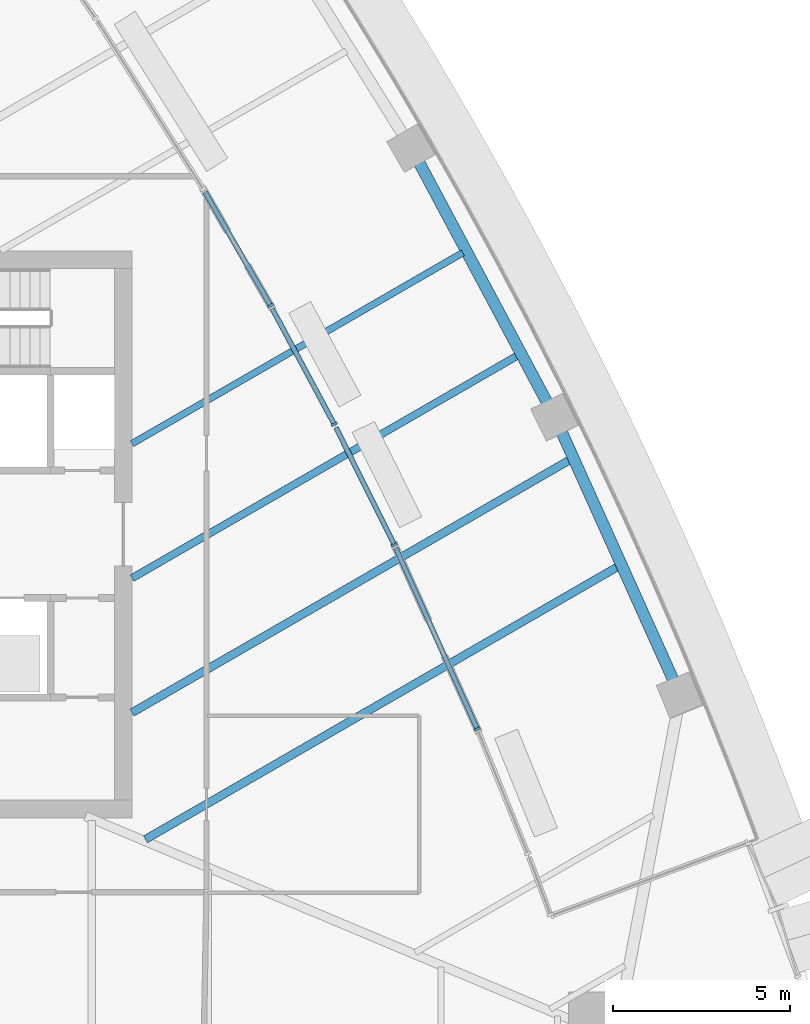
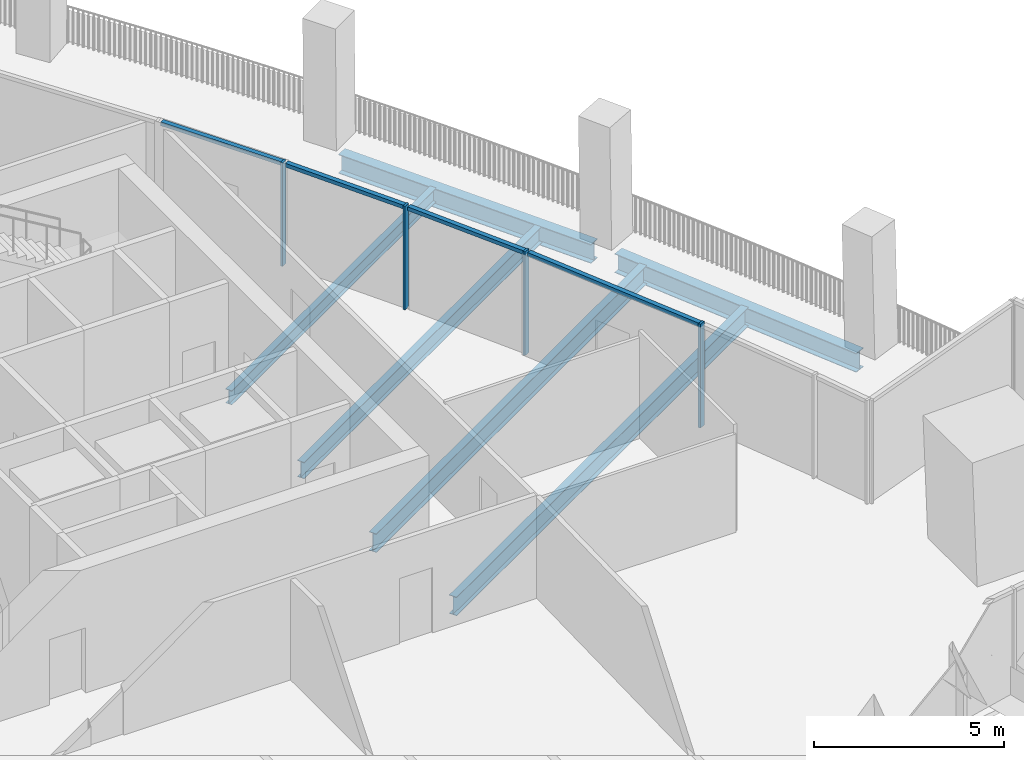
# One storey, part 5 of 22: 8 members, 6 beams, 4 elements without a shape of their own.
"""IFC4 building model written with IfcOpenShell, lengths in metres."""

from ifc_helpers import new_model, si_unit, direction, frame, origin, origin_2d, place, context, subcontext, project, spatial, rectangle, i_section, extrude, material, layer, layer_set, material_profile, profile_set, type_object, element, aggregate, save


model = new_model("IFC4")

# Units and contexts
model_context = context("Model", 3, precision=1e-05, world=origin(), true_north=direction((0.0, 1.0)))
body_context = subcontext(model_context, "Body", "Model", "MODEL_VIEW")
ifc_project = project(units=[si_unit("LENGTHUNIT", "METRE"), si_unit("AREAUNIT", "SQUARE_METRE"), si_unit("VOLUMEUNIT", "CUBIC_METRE"), si_unit("PLANEANGLEUNIT", "RADIAN"), si_unit("MASSUNIT", "GRAM", prefix="KILO")], contexts=[model_context])

# Site, building, storey
site_placement = place(None, origin())
site = spatial("IfcSite", under=ifc_project, at=site_placement, CompositionType="ELEMENT")
building_placement = place(site_placement, origin())
building = spatial("IfcBuilding", under=site, at=building_placement, Name="Sierra Prisma Convention Tower", CompositionType="ELEMENT")
storey_placement = place(building_placement, frame((0.0, 0.0, 141.800048828125)))
storey = spatial("IfcBuildingStorey", under=building, at=storey_placement, Name="L30", CompositionType="ELEMENT", Elevation=141.800048828125)

# Curtain wall, member
ifc_material_1 = material(Name="Aluminium and glass curtain wall", Category="aluminium")
ifc_layer = layer(ifc_material_1, 0.179931640625)
ifc_layer_set = layer_set([ifc_layer], Name="CW-6 Terrace recess curtain wall")
curtain_wall_type = type_object("IfcCurtainWallType", Name="CW-6 Terrace recess curtain wall", PredefinedType="NOTDEFINED", material=ifc_layer_set)
curtain_wall_1_placement = place(storey_placement, origin())
curtain_wall_1 = element("IfcCurtainWall", 1, at=curtain_wall_1_placement, inside=storey, type_object=curtain_wall_type, Name="CW-6 R3 L30", PredefinedType="NOTDEFINED")
ifc_material_2 = material(Name="Aluminium 6063-T6 bronze anodised", Category="aluminium")
ifc_material_profile_1 = material_profile(ifc_material_2, rectangle(XDim=0.179931640625, YDim=0.070068359375, at=origin_2d()), Name="ALU MULLION 70x180")
ifc_profile_set_1 = profile_set([ifc_material_profile_1], Name="Aluminium 6063-T6 bronze anodised")
member_type_1 = type_object("IfcMemberType", Name="CW mullion bronze", PredefinedType="MULLION", material=ifc_profile_set_1)
member_1_placement = place(storey_placement, frame((20.74072265625, -5.4912109375, 0.0), z_axis=(0.0, 0.0, 1.0), x_axis=(-0.911865462943, -0.410489192904, 0.0)))
member_1 = element("IfcMember", 2, at=member_1_placement, type_object=member_type_1, Name="CW-6 mullion R3.1", PredefinedType="MULLION", context=body_context, shape_type="SweptSolid", body=[
    extrude(rectangle(XDim=0.179931640625, YDim=0.070068359375, at=origin_2d()), origin(), (0.0, 0.0, 1.0), 3.33984375),
])

curtain_wall_2_placement = place(storey_placement, origin())
curtain_wall_2 = element("IfcCurtainWall", 3, at=curtain_wall_2_placement, inside=storey, type_object=curtain_wall_type, Name="CW-6 R4 L30", PredefinedType="NOTDEFINED")
member_2_placement = place(storey_placement, frame((18.39990234375, -0.294677734375, 0.0), z_axis=(0.0, 0.0, 1.0), x_axis=(-0.895302739588, -0.445458196116, 0.0)))
member_2 = element("IfcMember", 4, at=member_2_placement, type_object=member_type_1, Name="CW-6 mullion R4.1", PredefinedType="MULLION", context=body_context, shape_type="SweptSolid", body=[
    extrude(rectangle(XDim=0.179931640625, YDim=0.070068359375, at=origin_2d()), origin(), (0.0, 0.0, 1.0), 3.33984375),
])

curtain_wall_3_placement = place(storey_placement, origin())
curtain_wall_3 = element("IfcCurtainWall", 5, at=curtain_wall_3_placement, inside=storey, type_object=curtain_wall_type, Name="CW-6 R5 L30", PredefinedType="NOTDEFINED")
member_3_placement = place(storey_placement, frame((16.706298828125, 3.106689453125, 0.0), z_axis=(0.0, 0.0, 1.0), x_axis=(-0.881086209886, -0.472955696391, 0.0)))
member_3 = element("IfcMember", 6, at=member_3_placement, type_object=member_type_1, Name="CW-6 mullion R5.1", PredefinedType="MULLION", context=body_context, shape_type="SweptSolid", body=[
    extrude(rectangle(XDim=0.179931640625, YDim=0.070068359375, at=origin_2d()), origin(), (0.0, 0.0, 1.0), 3.33984375),
])

curtain_wall_4_placement = place(storey_placement, origin())
curtain_wall_4 = element("IfcCurtainWall", 7, at=curtain_wall_4_placement, inside=storey, type_object=curtain_wall_type, Name="CW-6 R6 L30", PredefinedType="NOTDEFINED")
member_4_placement = place(storey_placement, frame((14.908203125, 6.453857421875, 0.0), z_axis=(0.0, 0.0, 1.0), x_axis=(-0.866025403784, -0.5, 0.0)))
member_4 = element("IfcMember", 8, at=member_4_placement, type_object=member_type_1, Name="CW-6 mullion R6.1", PredefinedType="MULLION", context=body_context, shape_type="SweptSolid", body=[
    extrude(rectangle(XDim=0.179931640625, YDim=0.070068359375, at=origin_2d()), origin(), (0.0, 0.0, 1.0), 3.33984375),
])

# Member
ifc_material_3 = material(Name="Aluminium 6063-T6 bronze anodised", Category="aluminium")
ifc_material_profile_2 = material_profile(ifc_material_3, rectangle(XDim=0.139892578125, YDim=0.1201171875, at=origin_2d()), Name="ALU TRANSOM 120x140")
ifc_profile_set_2 = profile_set([ifc_material_profile_2], Name="Aluminium 6063-T6 bronze anodised")
member_type_2 = type_object("IfcMemberType", Name="CW transom bronze", PredefinedType="USERDEFINED", material=ifc_profile_set_2)
member_5_placement = place(storey_placement, frame((20.726318359375, -5.459228515625, 3.280029296875), z_axis=(-0.410481539448, 0.911868908217, 0.0), x_axis=(-0.911868908217, -0.410481539448, 0.0)))
member_5 = element("IfcMember", 9, at=member_5_placement, type_object=member_type_2, Name="CW-6 transom R3.1", ObjectType="TRANSOM", PredefinedType="USERDEFINED", context=body_context, shape_type="SweptSolid", body=[
    extrude(rectangle(XDim=0.139892578125, YDim=0.1201171875, at=origin_2d()), origin(), (0.0, 0.0, 1.0), 5.559326171875),
])

aggregate(curtain_wall_1, [member_1, member_5])

member_6_placement = place(storey_placement, frame((18.38427734375, -0.263427734375, 3.280029296875), z_axis=(-0.445424865278, 0.895319322584, 0.0), x_axis=(-0.895319322584, -0.445424865278, 0.0)))
member_6 = element("IfcMember", 10, at=member_6_placement, type_object=member_type_2, Name="CW-6 transom R4.1", ObjectType="TRANSOM", PredefinedType="USERDEFINED", context=body_context, shape_type="SweptSolid", body=[
    extrude(rectangle(XDim=0.139892578125, YDim=0.1201171875, at=origin_2d()), origin(), (0.0, 0.0, 1.0), 3.65966796875),
])

aggregate(curtain_wall_2, [member_2, member_6])

member_7_placement = place(storey_placement, frame((16.689697265625, 3.137451171875, 3.280029296875), z_axis=(-0.472909925867, 0.881110777381, 0.0), x_axis=(-0.881110777381, -0.472909925867, 0.0)))
member_7 = element("IfcMember", 11, at=member_7_placement, type_object=member_type_2, Name="CW-6 transom R5.1", ObjectType="TRANSOM", PredefinedType="USERDEFINED", context=body_context, shape_type="SweptSolid", body=[
    extrude(rectangle(XDim=0.139892578125, YDim=0.1201171875, at=origin_2d()), origin(), (0.0, 0.0, 1.0), 3.65966796875),
])

aggregate(curtain_wall_3, [member_3, member_7])

member_8_placement = place(storey_placement, frame((14.890869140625, 6.484375, 3.280029296875), z_axis=(-0.499991935001, 0.866030060064, 0.0), x_axis=(-0.866030060064, -0.499991935001, 0.0)))
member_8 = element("IfcMember", 12, at=member_8_placement, type_object=member_type_2, Name="CW-6 transom R6.1", ObjectType="TRANSOM", PredefinedType="USERDEFINED", context=body_context, shape_type="SweptSolid", body=[
    extrude(rectangle(XDim=0.139892578125, YDim=0.1201171875, at=origin_2d()), origin(), (0.0, 0.0, 1.0), 3.65966796875),
])

aggregate(curtain_wall_4, [member_4, member_8])

# Beams
ifc_material_4 = material(Name="Steel ASTM A992 Gr 50", Category="steel")
ifc_material_profile_3 = material_profile(ifc_material_4, i_section(OverallWidth=0.18994140625, OverallDepth=0.45703125, WebThickness=0.009033203125, FlangeThickness=0.014404296875, at=origin_2d()), Name="W460x74")
ifc_profile_set_3 = profile_set([ifc_material_profile_3], Name="Steel ASTM A992 Gr 50")
beam_type_1 = type_object("IfcBeamType", Name="Floor joist W460x74", PredefinedType="JOIST", material=ifc_profile_set_3)
beam_1_placement = place(storey_placement, frame((20.331787109375, 7.944091796875, -0.528564453125), z_axis=(-0.866025985952, -0.499998991654, 0.0), x_axis=(0.499998991654, -0.866025985952, 0.0)))
element("IfcBeam", 13, at=beam_1_placement, inside=storey, type_object=beam_type_1, Name="Floor joist L30 NE07", PredefinedType="JOIST", context=body_context, shape_type="SweptSolid", body=[
    extrude(i_section(OverallWidth=0.18994140625, OverallDepth=0.45703125, WebThickness=0.009033203125, FlangeThickness=0.014404296875, at=origin_2d()), origin(), (0.0, 0.0, 1.0), 10.775390625),
])
ifc_material_5 = material(Name="Steel ASTM A992 Gr 50", Category="steel")
ifc_material_profile_4 = material_profile(ifc_material_5, i_section(OverallWidth=0.208984375, OverallDepth=0.532958984375, WebThickness=0.01025390625, FlangeThickness=0.015625, at=origin_2d()), Name="W530x92")
ifc_profile_set_4 = profile_set([ifc_material_profile_4], Name="Steel ASTM A992 Gr 50")
beam_type_2 = type_object("IfcBeamType", Name="Floor joist W530x92", PredefinedType="JOIST", material=ifc_profile_set_4)
beam_2_placement = place(storey_placement, frame((21.87939453125, 5.043212890625, -0.566650390625), z_axis=(-0.866024416639, -0.500001709782, 0.0), x_axis=(0.500001709782, -0.866024416639, 0.0)))
element("IfcBeam", 14, at=beam_2_placement, inside=storey, type_object=beam_type_2, Name="Floor joist L30 NE06", PredefinedType="JOIST", context=body_context, shape_type="SweptSolid", body=[
    extrude(i_section(OverallWidth=0.208984375, OverallDepth=0.532958984375, WebThickness=0.01025390625, FlangeThickness=0.015625, at=origin_2d()), origin(), (0.0, 0.0, 1.0), 12.5625),
])
ifc_material_6 = material(Name="Steel ASTM A992 Gr 50", Category="steel")
ifc_material_profile_5 = material_profile(ifc_material_6, i_section(OverallWidth=0.22802734375, OverallDepth=0.60302734375, WebThickness=0.010498046875, FlangeThickness=0.014892578125, at=origin_2d()), Name="W610x101")
ifc_profile_set_5 = profile_set([ifc_material_profile_5], Name="Steel ASTM A992 Gr 50")
beam_type_3 = type_object("IfcBeamType", Name="Floor joist W610x101", PredefinedType="JOIST", material=ifc_profile_set_5)
beam_3_placement = place(storey_placement, frame((24.708984375, -0.912109375, -0.6015625), z_axis=(-0.866029474376, -0.499992949462, 0.0), x_axis=(0.499992949462, -0.866029474376, 0.0)))
element("IfcBeam", 15, at=beam_3_placement, inside=storey, type_object=beam_type_3, Name="Floor joist L30 NE04", PredefinedType="JOIST", context=body_context, shape_type="SweptSolid", body=[
    extrude(i_section(OverallWidth=0.22802734375, OverallDepth=0.60302734375, WebThickness=0.010498046875, FlangeThickness=0.014892578125, at=origin_2d()), origin(), (0.0, 0.0, 1.0), 15.391357421875),
])
beam_4_placement = place(storey_placement, frame((23.353271484375, 2.099609375, -0.6015625), z_axis=(-0.866027970067, -0.499995555042, 0.0), x_axis=(0.499995555042, -0.866027970067, 0.0)))
element("IfcBeam", 16, at=beam_4_placement, inside=storey, type_object=beam_type_3, Name="Floor joist L30 NE05", PredefinedType="JOIST", context=body_context, shape_type="SweptSolid", body=[
    extrude(i_section(OverallWidth=0.22802734375, OverallDepth=0.60302734375, WebThickness=0.010498046875, FlangeThickness=0.014892578125, at=origin_2d()), origin(), (0.0, 0.0, 1.0), 14.264404296875),
])
ifc_material_7 = material(Name="Steel ASTM A992 Gr 50", Category="steel")
ifc_material_profile_6 = material_profile(ifc_material_7, i_section(OverallWidth=0.324951171875, OverallDepth=0.615966796875, WebThickness=0.013916015625, FlangeThickness=0.021484375, at=origin_2d()), Name="W610x174")
ifc_profile_set_6 = profile_set([ifc_material_profile_6], Name="Steel ASTM A992 Gr 50")
beam_type_4 = type_object("IfcBeamType", Name="Spandrel beam W610x174", PredefinedType="BEAM", material=ifc_profile_set_6)
for number, where, z_axis, x_axis, name in (
    (17, (26.31298828125, -4.200439453125, -0.608154296875), (-0.410479769618, 0.911869704911, 0.0), (-0.911869704911, -0.410479769618, 0.0), "Spandrel L30-08"),
    (18, (22.755615234375, 3.639892578125, -0.608154296875), (-0.470681858358, 0.882303002495, 0.0), (-0.882303002495, -0.470681858358, 0.0), "Spandrel L30-09"),
):
    element("IfcBeam", number, at=place(storey_placement, frame(where, z_axis=z_axis, x_axis=x_axis)), inside=storey, type_object=beam_type_4, Name=name, PredefinedType="BEAM", context=body_context, shape_type="SweptSolid", body=[
        extrude(i_section(OverallWidth=0.324951171875, OverallDepth=0.615966796875, WebThickness=0.013916015625, FlangeThickness=0.021484375, at=origin_2d()), origin(), (0.0, 0.0, 1.0), 7.849853515625),
    ])

save(model, "model.ifc")
